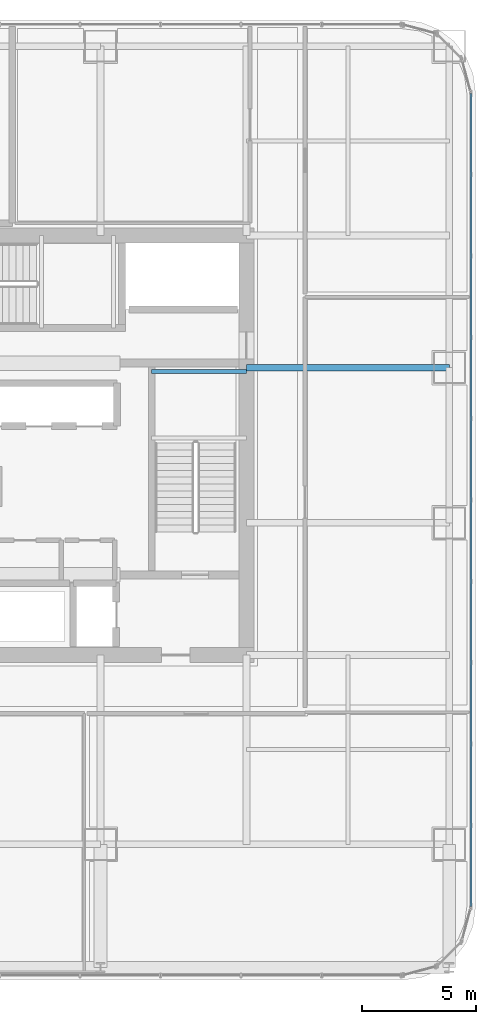
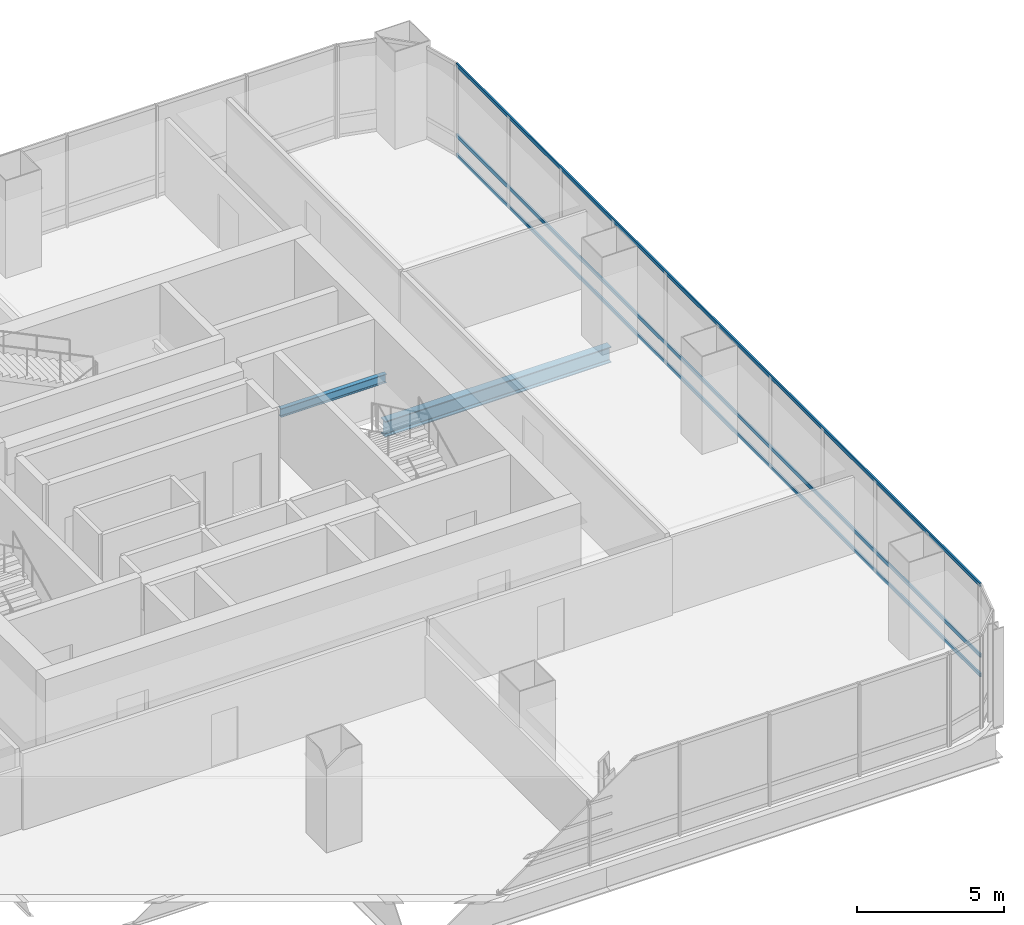
# One storey, part 16 of 36: 3 members, 2 beams, 1 element without a shape of its own.
"""IFC4 building model written with IfcOpenShell, lengths in metres."""

from ifc_helpers import new_model, si_unit, direction, frame, origin, origin_2d, place, context, subcontext, project, spatial, hollow_rectangle, i_section, extrude, material, material_profile, profile_set, type_object, element, aggregate, save


model = new_model("IFC4")

# Units and contexts
model_context = context("Model", 3, precision=1e-05, world=origin(), true_north=direction((0.0, 1.0)))
body_context = subcontext(model_context, "Body", "Model", "MODEL_VIEW")
ifc_project = project(units=[si_unit("LENGTHUNIT", "METRE"), si_unit("AREAUNIT", "SQUARE_METRE"), si_unit("VOLUMEUNIT", "CUBIC_METRE"), si_unit("PLANEANGLEUNIT", "RADIAN"), si_unit("MASSUNIT", "GRAM", prefix="KILO")], contexts=[model_context])

# Site, building, storey
site_placement = place(None, origin())
site = spatial("IfcSite", under=ifc_project, at=site_placement, CompositionType="ELEMENT")
building_placement = place(site_placement, origin())
building = spatial("IfcBuilding", under=site, at=building_placement, Name="Punatoya Terracotta Tower", CompositionType="ELEMENT")
storey_placement = place(building_placement, frame((0.0, 0.0, 180.300048828125)))
storey = spatial("IfcBuildingStorey", under=building, at=storey_placement, Name="L42", CompositionType="ELEMENT", Elevation=180.300048828125)

# Beams
ifc_material_1 = material(Name="Steel S355", Category="steel")
ifc_material_profile_1 = material_profile(ifc_material_1, i_section(OverallWidth=0.300048828125, OverallDepth=0.64990234375, WebThickness=0.01611328125, FlangeThickness=0.031005859375, FilletRadius=0.01806640625, at=origin_2d()))
ifc_profile_set_1 = profile_set([ifc_material_profile_1], Name="Steel S355")
beam_type_1 = type_object("IfcBeamType", Name="BM-PRI-650", PredefinedType="BEAM", material=ifc_profile_set_1)
beam_1_placement = place(storey_placement, frame((10.199951171875, 3.39990234375, -0.545166015625), z_axis=(1.0, 0.0, 0.0), x_axis=(0.0, 1.0, 0.0)))
element("IfcBeam", 1, at=beam_1_placement, inside=storey, type_object=beam_type_1, Name="BM-L42-PR-EE", PredefinedType="BEAM", context=body_context, shape_type="SweptSolid", body=[
    extrude(i_section(OverallWidth=0.300048828125, OverallDepth=0.64990234375, WebThickness=0.01611328125, FlangeThickness=0.031005859375, FilletRadius=0.01806640625, at=origin_2d()), origin(), (0.0, 0.0, 1.0), 8.900146484375),
])
ifc_material_profile_2 = material_profile(ifc_material_1, i_section(OverallWidth=0.169921875, OverallDepth=0.360107421875, WebThickness=0.008056640625, FlangeThickness=0.0126953125, FilletRadius=0.01806640625, at=origin_2d()))
ifc_profile_set_2 = profile_set([ifc_material_profile_2], Name="Steel S355")
beam_type_2 = type_object("IfcBeamType", Name="BM-SEC-360", PredefinedType="JOIST", material=ifc_profile_set_2)
beam_2_placement = place(storey_placement, frame((6.050048828125, 3.22998046875, 1.64501953125), z_axis=(1.0, 0.0, 0.0), x_axis=(0.0, 1.0, 0.0)))
element("IfcBeam", 2, at=beam_2_placement, inside=storey, type_object=beam_type_2, Name="BM-L42-ST-2-LD1B", PredefinedType="JOIST", context=body_context, shape_type="SweptSolid", body=[
    extrude(i_section(OverallWidth=0.169921875, OverallDepth=0.360107421875, WebThickness=0.008056640625, FlangeThickness=0.0126953125, FilletRadius=0.01806640625, at=origin_2d()), origin(), (0.0, 0.0, 1.0), 4.14990234375),
])

# Curtain wall, members
ifc_material_2 = material(Name="Aluminium 6063-T6 + Double Low-E Glass", Category="aluminium")
curtain_wall_type = type_object("IfcCurtainWallType", Name="CW-M2", PredefinedType="NOTDEFINED", material=ifc_material_2)
curtain_wall_placement = place(storey_placement, origin())
curtain_wall = element("IfcCurtainWall", 3, at=curtain_wall_placement, inside=storey, type_object=curtain_wall_type, Name="L42 Curtain Wall CW-L42-E05-1", PredefinedType="NOTDEFINED")
ifc_material_3 = material(Name="Aluminium 6063-T6", Category="aluminium")
ifc_material_profile_3 = material_profile(ifc_material_3, hollow_rectangle(XDim=0.068115234375, YDim=0.14990234375, WallThickness=0.00390625, at=origin_2d()))
ifc_profile_set_3 = profile_set([ifc_material_profile_3], Name="Aluminium 6063-T6")
member_type = type_object("IfcMemberType", Name="CW-TRN-TYP", PredefinedType="USERDEFINED", material=ifc_profile_set_3)
member_1_placement = place(storey_placement, frame((20.050048828125, -20.23681640625, 0.0400390625), z_axis=(0.0, 1.0, 0.0), x_axis=(-1.0, 0.0, 0.0)))
member_1 = element("IfcMember", 4, at=member_1_placement, type_object=member_type, Name="CW-L42-E05-1 Transom 1", ObjectType="TRANSOM", PredefinedType="USERDEFINED", context=body_context, shape_type="SweptSolid", body=[
    extrude(hollow_rectangle(XDim=0.068115234375, YDim=0.14990234375, WallThickness=0.00390625, at=origin_2d()), origin(), (0.0, 0.0, 1.0), 35.673828125),
])
member_2_placement = place(storey_placement, frame((20.050048828125, -20.23681640625, 0.849853515625), z_axis=(0.0, 1.0, 0.0), x_axis=(-1.0, 0.0, 0.0)))
member_2 = element("IfcMember", 5, at=member_2_placement, type_object=member_type, Name="CW-L42-E05-1 Transom 2", ObjectType="TRANSOM", PredefinedType="USERDEFINED", context=body_context, shape_type="SweptSolid", body=[
    extrude(hollow_rectangle(XDim=0.068115234375, YDim=0.14990234375, WallThickness=0.00390625, at=origin_2d()), origin(), (0.0, 0.0, 1.0), 35.673828125),
])
member_3_placement = place(storey_placement, frame((20.050048828125, -20.23681640625, 3.7900390625), z_axis=(0.0, 1.0, 0.0), x_axis=(-1.0, 0.0, 0.0)))
member_3 = element("IfcMember", 6, at=member_3_placement, type_object=member_type, Name="CW-L42-E05-1 Transom 3", ObjectType="TRANSOM", PredefinedType="USERDEFINED", context=body_context, shape_type="SweptSolid", body=[
    extrude(hollow_rectangle(XDim=0.068115234375, YDim=0.14990234375, WallThickness=0.00390625, at=origin_2d()), origin(), (0.0, 0.0, 1.0), 35.673828125),
])
aggregate(curtain_wall, [member_1, member_2, member_3])

save(model, "model.ifc")
